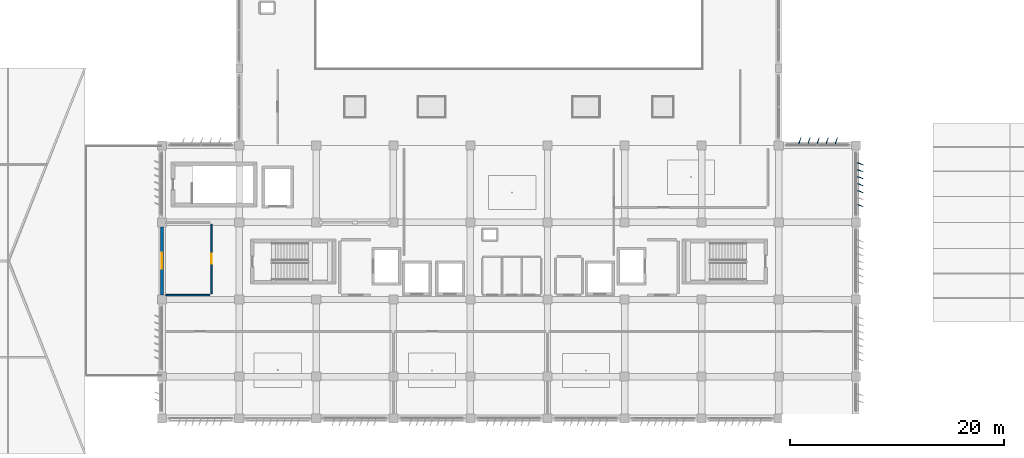
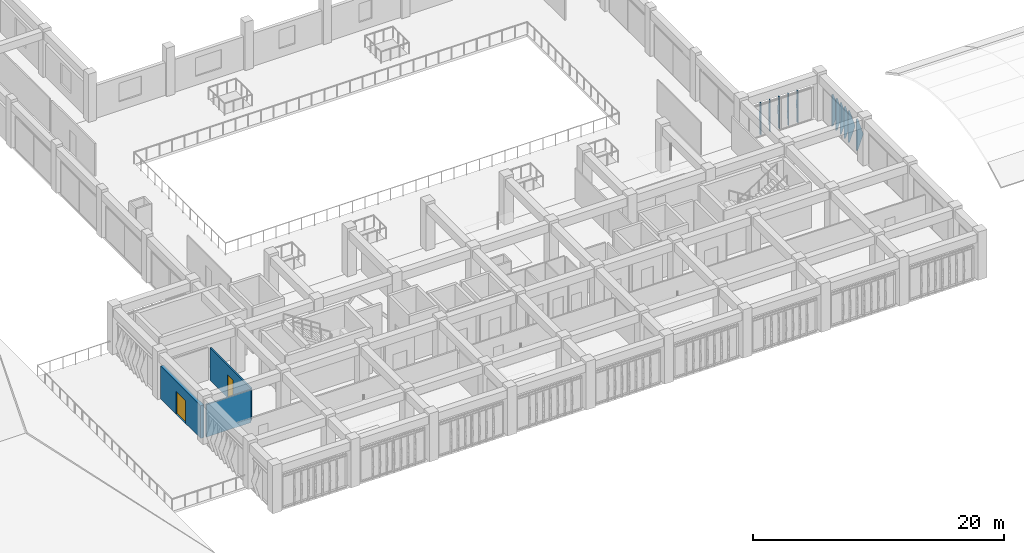
# One storey, part 29 of 55: 11 plates, 3 walls, 2 doors, 2 openings.
"""IFC4 building model written with IfcOpenShell, lengths in metres."""

import ifcopenshell
import ifcopenshell.guid

model = None  # the IFC model being written
_history = None  # IfcOwnerHistory: only IFC2X3 demands one
_inside = {}  # id of a spatial element -> (the spatial element, [elements in it])
_under = {}  # id of a project, library or spatial element -> (it, [spatial elements below it])
_declared = {}  # id of a project -> (the project, [libraries it declares])
_typed = {}  # id of a type object -> (the type object, [elements of that type])
_made_of = {}  # id of a material, layer set ... -> (it, [elements and type objects made of it])


def new_model(schema):
    """Start an empty IFC model of exactly this schema.

    Asked for "IFC4X3", IfcOpenShell would pick the latest addendum, in which some entities
    have other attributes; the version numbers below select the first issue.
    IFC2X3 requires an IfcOwnerHistory on every rooted entity: one is made here for all.
    """
    global model, _history
    if schema == "IFC4X3":
        model = ifcopenshell.file(schema_version=(4, 3, 0, 0))
    else:
        model = ifcopenshell.file(schema=schema)
    _inside.clear()
    _under.clear()
    _declared.clear()
    _typed.clear()
    _made_of.clear()
    _history = None
    if model.schema == "IFC2X3":
        org = make("IfcOrganization", Name="unknown")
        user = make(
            "IfcPersonAndOrganization",
            ThePerson=make("IfcPerson", FamilyName="unknown"),
            TheOrganization=org,
        )
        app = make(
            "IfcApplication",
            ApplicationDeveloper=org,
            Version="unknown",
            ApplicationFullName="unknown",
            ApplicationIdentifier="unknown",
        )
        _history = make(
            "IfcOwnerHistory",
            OwningUser=user,
            OwningApplication=app,
            ChangeAction="ADDED",
            CreationDate=0,
        )
    return model


def make(cls, **values):
    """One entity of the class cls with the attributes given. An attribute that is None is left unset."""
    return model.create_entity(
        cls, **{name: value for name, value in values.items() if value is not None}
    )


def rooted(cls, **values):
    """An entity with a GlobalId (a new one), such as an element, a storey or a relation."""
    return make(cls, GlobalId=ifcopenshell.guid.new(), OwnerHistory=_history, **values)


def si_unit(unit_type, name, prefix=None):
    """IfcSIUnit, for example si_unit("LENGTHUNIT", "METRE", prefix="MILLI")."""
    return make("IfcSIUnit", UnitType=unit_type, Prefix=prefix, Name=name)


def assignment(units):
    """IfcUnitAssignment: the units of a project."""
    return None if units is None else make("IfcUnitAssignment", Units=units)


def point(xyz):
    """IfcCartesianPoint."""
    return None if xyz is None else make("IfcCartesianPoint", Coordinates=xyz)


def direction(xyz):
    """IfcDirection."""
    return None if xyz is None else make("IfcDirection", DirectionRatios=xyz)


def frame(location, z_axis=None, x_axis=None):
    """IfcAxis2Placement3D, a coordinate frame: its origin and axes. An axis left out is left unset."""
    return make(
        "IfcAxis2Placement3D",
        Location=point(location),
        Axis=direction(z_axis),
        RefDirection=direction(x_axis),
    )


def frame_2d(location, x_axis=None):
    """IfcAxis2Placement2D, a coordinate frame in the plane: its origin and x axis."""
    return make(
        "IfcAxis2Placement2D", Location=point(location), RefDirection=direction(x_axis)
    )


def origin():
    """The frame at (0, 0, 0) with its axes left unset."""
    return frame((0.0, 0.0, 0.0))


def place(relative_to, where):
    """IfcLocalPlacement: puts the frame where relative to a parent placement (None: the world)."""
    return make(
        "IfcLocalPlacement", PlacementRelTo=relative_to, RelativePlacement=where
    )


def context(
    kind, dimensions, precision=None, world=None, true_north=None, identifier=None
):
    """IfcGeometricRepresentationContext, for example the 3D "Model" context."""
    return make(
        "IfcGeometricRepresentationContext",
        ContextIdentifier=identifier,
        ContextType=kind,
        CoordinateSpaceDimension=dimensions,
        Precision=precision,
        WorldCoordinateSystem=world,
        TrueNorth=true_north,
    )


def subcontext(parent, identifier, kind, view, scale=None):
    """IfcGeometricRepresentationSubContext, for example "Body" below "Model"."""
    return make(
        "IfcGeometricRepresentationSubContext",
        ContextIdentifier=identifier,
        ContextType=kind,
        ParentContext=parent,
        TargetScale=scale,
        TargetView=view,
    )


def project(units=None, contexts=None):
    """IfcProject with its units and contexts."""
    return rooted(
        "IfcProject",
        Name="project",
        RepresentationContexts=contexts,
        UnitsInContext=assignment(units),
    )


def spatial(cls, under=None, at=None, **own):
    """A site, building, storey or space (cls), placed at a placement, below another one or the project."""
    s = rooted(cls, ObjectPlacement=at, **own)
    if under is not None:
        _under.setdefault(under.id(), (under, []))[1].append(s)
    return s


def point_list(points):
    """IfcCartesianPointList2D or 3D."""
    cls = (
        "IfcCartesianPointList2D" if len(points[0]) == 2 else "IfcCartesianPointList3D"
    )
    return make(cls, CoordList=points)


def profile(cls, at=None, kind="AREA", **sizes):
    """A parametric profile (cls). Its sizes go by their IFC names, for example OverallWidth=200.0."""
    return make(cls, ProfileType=kind, Position=at, **sizes)


def rectangle(**sizes):
    """IfcRectangleProfileDef."""
    return profile("IfcRectangleProfileDef", **sizes)


def extrude(swept, where, along, depth):
    """IfcExtrudedAreaSolid: the profile swept, set in the frame where, extruded along a direction by depth."""
    return make(
        "IfcExtrudedAreaSolid",
        SweptArea=swept,
        Position=where,
        ExtrudedDirection=direction(along),
        Depth=depth,
    )


def polygons(points, faces, closed=None, point_numbers=None):
    """IfcPolygonalFaceSet: a face is its outer loop, then its inner loops; points numbered from 1."""
    made = []
    for loops in faces:
        if len(loops) == 1:
            made.append(make("IfcIndexedPolygonalFace", CoordIndex=loops[0]))
        else:
            made.append(
                make(
                    "IfcIndexedPolygonalFaceWithVoids",
                    CoordIndex=loops[0],
                    InnerCoordIndices=loops[1:],
                )
            )
    return make(
        "IfcPolygonalFaceSet",
        Coordinates=point_list(points),
        Closed=closed,
        Faces=made,
        PnIndex=point_numbers,
    )


def shape(context_of_items, identifier, shape_type, items):
    """IfcShapeRepresentation: the items that make up one representation, for example the "Body"."""
    return make(
        "IfcShapeRepresentation",
        ContextOfItems=context_of_items,
        RepresentationIdentifier=identifier,
        RepresentationType=shape_type,
        Items=items,
    )


def material(Name=None, Category=None):
    """IfcMaterial."""
    return make("IfcMaterial", Name=Name, Category=Category)


def layer(
    of_material, thickness, ventilated=None, Name=None, Category=None, Priority=None
):
    """IfcMaterialLayer: one layer of a wall or slab, of a material (None: an air gap)."""
    return make(
        "IfcMaterialLayer",
        Material=of_material,
        LayerThickness=thickness,
        IsVentilated=ventilated,
        Name=Name,
        Category=Category,
        Priority=Priority,
    )


def layer_set(layers, Name=None):
    """IfcMaterialLayerSet."""
    return make("IfcMaterialLayerSet", MaterialLayers=layers, LayerSetName=Name)


def made_of(thing, what):
    """Note that an element or type object is made of a material, layer set ...; save() writes the relation."""
    if what is not None:
        _made_of.setdefault(what.id(), (what, []))[1].append(thing)
    return thing


def type_object(cls, material=None, **own):
    """A type object (cls), such as IfcWallType, which elements share."""
    return made_of(rooted(cls, **own), material)


def element(
    cls,
    number,
    at=None,
    inside=None,
    cuts=None,
    type_object=None,
    material=None,
    context=None,
    identifier="Body",
    shape_type=None,
    held_by="IfcProductDefinitionShape",
    body=None,
    shapes=None,
    **own,
):
    """One element of the class cls, such as IfcWall. Its Tag is "e" and its number.

    at: its placement. inside: the storey or other place that contains it. cuts: it is an
    opening in that element (IfcRelVoidsElement). A single representation is given by context,
    identifier, shape_type and body (its items); several are given by shapes. held_by: the class
    of the entity that holds the representations. save() writes the other relations.
    """
    e = rooted(cls, Tag="e%d" % number, ObjectPlacement=at, **own)
    if body is not None:
        shapes = [shape(context, identifier, shape_type, body)]
    if shapes is not None:
        e.Representation = make(held_by, Representations=shapes)
    if inside is not None:
        _inside.setdefault(inside.id(), (inside, []))[1].append(e)
    if cuts is not None:
        rooted(
            "IfcRelVoidsElement", RelatingBuildingElement=cuts, RelatedOpeningElement=e
        )
    if type_object is not None:
        _typed.setdefault(type_object.id(), (type_object, []))[1].append(e)
    return made_of(e, material)


def fill(opening, filler):
    """IfcRelFillsElement: the door or window that sits in an opening."""
    return rooted(
        "IfcRelFillsElement",
        RelatingOpeningElement=opening,
        RelatedBuildingElement=filler,
    )


def aggregate(whole, parts):
    """IfcRelAggregates: a whole, such as a stair, and the parts it consists of."""
    return rooted("IfcRelAggregates", RelatingObject=whole, RelatedObjects=parts)


def save(model, path):
    """Write the relations noted so far, then the file.

    IfcRelAggregates (storeys below a building ...), IfcRelContainedInSpatialStructure (elements
    in a storey), IfcRelDefinesByType, IfcRelAssociatesMaterial and IfcRelDeclares: one each for
    every whole, place, type object, material and project.
    """
    for whole, parts in _under.values():
        aggregate(whole, parts)
    for where, things in _inside.values():
        rooted(
            "IfcRelContainedInSpatialStructure",
            RelatedElements=things,
            RelatingStructure=where,
        )
    for kind, things in _typed.values():
        rooted("IfcRelDefinesByType", RelatedObjects=things, RelatingType=kind)
    for what, things in _made_of.values():
        rooted("IfcRelAssociatesMaterial", RelatedObjects=things, RelatingMaterial=what)
    for by, libraries in _declared.values():
        rooted("IfcRelDeclares", RelatingContext=by, RelatedDefinitions=libraries)
    model.write(path)


model = new_model("IFC4")

# Units and contexts
model_context = context("Model", 3, precision=1e-05, world=origin(), true_north=direction((0.0, 1.0)))
body_context = subcontext(model_context, "Body", "Model", "MODEL_VIEW")
ifc_project = project(units=[si_unit("LENGTHUNIT", "METRE"), si_unit("AREAUNIT", "SQUARE_METRE"), si_unit("VOLUMEUNIT", "CUBIC_METRE"), si_unit("PLANEANGLEUNIT", "RADIAN"), si_unit("MASSUNIT", "GRAM", prefix="KILO")], contexts=[model_context])

# Site, building, storey
site_placement = place(None, origin())
site = spatial("IfcSite", under=ifc_project, at=site_placement, CompositionType="ELEMENT")
building_placement = place(site_placement, origin())
building = spatial("IfcBuilding", under=site, at=building_placement, Name="Kazehaya Institute of Natural Sciences", CompositionType="ELEMENT")
storey_placement = place(building_placement, frame((0.0, 0.0, 15.1201171875)))
storey = spatial("IfcBuildingStorey", under=building, at=storey_placement, Name="L03", CompositionType="ELEMENT", Elevation=15.1201171875)

# Plates
ifc_material_1 = material(Name="Bronze-anodised aluminium alloy A6063S-T5", Category="aluminium")
ifc_layer_1 = layer(ifc_material_1, 0.02001953125, Name="Bronze-anodised aluminium alloy A6063S-T5", Category="aluminium")
ifc_layer_set_1 = layer_set([ifc_layer_1], Name="Bronze-anodised aluminium alloy A6063S-T5")
plate_type_1 = type_object("IfcPlateType", Name="FIN-DF-E1", PredefinedType="USERDEFINED", material=ifc_layer_set_1)
plate_1_placement = place(storey_placement, origin())
element("IfcPlate", 1, at=plate_1_placement, inside=storey, type_object=plate_type_1, Name="L03 folded diamond-pyramid shading fin FIN-L03-E-0106", ObjectType="SHADING_FIN", PredefinedType="USERDEFINED", context=body_context, shape_type="Tessellation", body=[
    polygons([(119.554931640625, 33.9599609375, 0.039794921875), (119.699951171875, 33.9599609375, 0.039794921875), (120.110107421875, 33.78125, 1.58984375), (119.699951171875, 33.9599609375, 3.139892578125), (119.554931640625, 33.9599609375, 3.139892578125), (119.554931640625, 33.93994140625, 0.039794921875), (119.699951171875, 33.93994140625, 0.039794921875), (120.110107421875, 33.76123046875, 1.58984375), (119.699951171875, 33.93994140625, 3.139892578125), (119.554931640625, 33.93994140625, 3.139892578125)], [[[1, 5, 4, 3, 2]], [[6, 7, 8, 9, 10]], [[1, 2, 7, 6]], [[2, 3, 8, 7]], [[3, 4, 9, 8]], [[4, 5, 10, 9]], [[5, 1, 6, 10]]], closed=True),
])
plate_2_placement = place(storey_placement, origin())
element("IfcPlate", 2, at=plate_2_placement, inside=storey, type_object=plate_type_1, Name="L03 folded diamond-pyramid shading fin FIN-L03-E-0107", ObjectType="SHADING_FIN", PredefinedType="USERDEFINED", context=body_context, shape_type="Tessellation", body=[
    polygons([(119.554931640625, 33.31005859375, 0.039794921875), (119.699951171875, 33.31005859375, 0.039794921875), (120.110107421875, 33.13134765625, 1.58984375), (119.699951171875, 33.31005859375, 3.139892578125), (119.554931640625, 33.31005859375, 3.139892578125), (119.554931640625, 33.2900390625, 0.039794921875), (119.699951171875, 33.2900390625, 0.039794921875), (120.110107421875, 33.111328125, 1.58984375), (119.699951171875, 33.2900390625, 3.139892578125), (119.554931640625, 33.2900390625, 3.139892578125)], [[[1, 5, 4, 3, 2]], [[6, 7, 8, 9, 10]], [[1, 2, 7, 6]], [[2, 3, 8, 7]], [[3, 4, 9, 8]], [[4, 5, 10, 9]], [[5, 1, 6, 10]]], closed=True),
])
plate_3_placement = place(storey_placement, origin())
element("IfcPlate", 3, at=plate_3_placement, inside=storey, type_object=plate_type_1, Name="L03 folded diamond-pyramid shading fin FIN-L03-E-0108", ObjectType="SHADING_FIN", PredefinedType="USERDEFINED", context=body_context, shape_type="Tessellation", body=[
    polygons([(119.554931640625, 32.659912109375, 0.039794921875), (119.699951171875, 32.659912109375, 0.039794921875), (120.110107421875, 32.481201171875, 1.58984375), (119.699951171875, 32.659912109375, 3.139892578125), (119.554931640625, 32.659912109375, 3.139892578125), (119.554931640625, 32.639892578125, 0.039794921875), (119.699951171875, 32.639892578125, 0.039794921875), (120.110107421875, 32.461181640625, 1.58984375), (119.699951171875, 32.639892578125, 3.139892578125), (119.554931640625, 32.639892578125, 3.139892578125)], [[[1, 5, 4, 3, 2]], [[6, 7, 8, 9, 10]], [[1, 2, 7, 6]], [[2, 3, 8, 7]], [[3, 4, 9, 8]], [[4, 5, 10, 9]], [[5, 1, 6, 10]]], closed=True),
])
plate_4_placement = place(storey_placement, origin())
element("IfcPlate", 4, at=plate_4_placement, inside=storey, type_object=plate_type_1, Name="L03 folded diamond-pyramid shading fin FIN-L03-E-0109", ObjectType="SHADING_FIN", PredefinedType="USERDEFINED", context=body_context, shape_type="Tessellation", body=[
    polygons([(119.554931640625, 32.010009765625, 0.039794921875), (119.699951171875, 32.010009765625, 0.039794921875), (120.110107421875, 31.831298828125, 1.58984375), (119.699951171875, 32.010009765625, 3.139892578125), (119.554931640625, 32.010009765625, 3.139892578125), (119.554931640625, 31.989990234375, 0.039794921875), (119.699951171875, 31.989990234375, 0.039794921875), (120.110107421875, 31.811279296875, 1.58984375), (119.699951171875, 31.989990234375, 3.139892578125), (119.554931640625, 31.989990234375, 3.139892578125)], [[[1, 5, 4, 3, 2]], [[6, 7, 8, 9, 10]], [[1, 2, 7, 6]], [[2, 3, 8, 7]], [[3, 4, 9, 8]], [[4, 5, 10, 9]], [[5, 1, 6, 10]]], closed=True),
])
plate_5_placement = place(storey_placement, origin())
element("IfcPlate", 5, at=plate_5_placement, inside=storey, type_object=plate_type_1, Name="L03 folded diamond-pyramid shading fin FIN-L03-E-0110", ObjectType="SHADING_FIN", PredefinedType="USERDEFINED", context=body_context, shape_type="Tessellation", body=[
    polygons([(119.554931640625, 31.360107421875, 0.039794921875), (119.699951171875, 31.360107421875, 0.039794921875), (120.110107421875, 31.181396484375, 1.58984375), (119.699951171875, 31.360107421875, 3.139892578125), (119.554931640625, 31.360107421875, 3.139892578125), (119.554931640625, 31.340087890625, 0.039794921875), (119.699951171875, 31.340087890625, 0.039794921875), (120.110107421875, 31.161376953125, 1.58984375), (119.699951171875, 31.340087890625, 3.139892578125), (119.554931640625, 31.340087890625, 3.139892578125)], [[[1, 5, 4, 3, 2]], [[6, 7, 8, 9, 10]], [[1, 2, 7, 6]], [[2, 3, 8, 7]], [[3, 4, 9, 8]], [[4, 5, 10, 9]], [[5, 1, 6, 10]]], closed=True),
])
plate_6_placement = place(storey_placement, origin())
element("IfcPlate", 6, at=plate_6_placement, inside=storey, type_object=plate_type_1, Name="L03 folded diamond-pyramid shading fin FIN-L03-E-0112", ObjectType="SHADING_FIN", PredefinedType="USERDEFINED", context=body_context, shape_type="Tessellation", body=[
    polygons([(119.554931640625, 30.06005859375, 0.039794921875), (119.699951171875, 30.06005859375, 0.039794921875), (120.110107421875, 29.88134765625, 1.58984375), (119.699951171875, 30.06005859375, 3.139892578125), (119.554931640625, 30.06005859375, 3.139892578125), (119.554931640625, 30.0400390625, 0.039794921875), (119.699951171875, 30.0400390625, 0.039794921875), (120.110107421875, 29.861328125, 1.58984375), (119.699951171875, 30.0400390625, 3.139892578125), (119.554931640625, 30.0400390625, 3.139892578125)], [[[1, 5, 4, 3, 2]], [[6, 7, 8, 9, 10]], [[1, 2, 7, 6]], [[2, 3, 8, 7]], [[3, 4, 9, 8]], [[4, 5, 10, 9]], [[5, 1, 6, 10]]], closed=True),
])
ifc_layer_2 = layer(ifc_material_1, 0.02001953125, Name="Bronze-anodised aluminium alloy A6063S-T5", Category="aluminium")
ifc_layer_set_2 = layer_set([ifc_layer_2], Name="Bronze-anodised aluminium alloy A6063S-T5")
plate_type_2 = type_object("IfcPlateType", Name="FIN-DF-N1", PredefinedType="USERDEFINED", material=ifc_layer_set_2)
plate_7_placement = place(storey_placement, origin())
element("IfcPlate", 7, at=plate_7_placement, inside=storey, type_object=plate_type_2, Name="L03 folded diamond-pyramid shading fin FIN-L03-N-0069", ObjectType="SHADING_FIN", PredefinedType="USERDEFINED", context=body_context, shape_type="Tessellation", body=[
    polygons([(114.090087890625, 35.7548828125, 0.039794921875), (114.090087890625, 35.89990234375, 0.039794921875), (114.268798828125, 36.31005859375, 1.58984375), (114.090087890625, 35.89990234375, 3.139892578125), (114.090087890625, 35.7548828125, 3.139892578125), (114.110107421875, 35.7548828125, 0.039794921875), (114.110107421875, 35.89990234375, 0.039794921875), (114.288818359375, 36.31005859375, 1.58984375), (114.110107421875, 35.89990234375, 3.139892578125), (114.110107421875, 35.7548828125, 3.139892578125)], [[[1, 5, 4, 3, 2]], [[6, 7, 8, 9, 10]], [[1, 2, 7, 6]], [[2, 3, 8, 7]], [[3, 4, 9, 8]], [[4, 5, 10, 9]], [[5, 1, 6, 10]]], closed=True),
])
plate_8_placement = place(storey_placement, origin())
element("IfcPlate", 8, at=plate_8_placement, inside=storey, type_object=plate_type_2, Name="L03 folded diamond-pyramid shading fin FIN-L03-N-0070", ObjectType="SHADING_FIN", PredefinedType="USERDEFINED", context=body_context, shape_type="Tessellation", body=[
    polygons([(114.93994140625, 35.7548828125, 0.039794921875), (114.93994140625, 35.89990234375, 0.039794921875), (115.11865234375, 36.31005859375, 1.58984375), (114.93994140625, 35.89990234375, 3.139892578125), (114.93994140625, 35.7548828125, 3.139892578125), (114.9599609375, 35.7548828125, 0.039794921875), (114.9599609375, 35.89990234375, 0.039794921875), (115.138671875, 36.31005859375, 1.58984375), (114.9599609375, 35.89990234375, 3.139892578125), (114.9599609375, 35.7548828125, 3.139892578125)], [[[1, 5, 4, 3, 2]], [[6, 7, 8, 9, 10]], [[1, 2, 7, 6]], [[2, 3, 8, 7]], [[3, 4, 9, 8]], [[4, 5, 10, 9]], [[5, 1, 6, 10]]], closed=True),
])
plate_9_placement = place(storey_placement, origin())
element("IfcPlate", 9, at=plate_9_placement, inside=storey, type_object=plate_type_2, Name="L03 folded diamond-pyramid shading fin FIN-L03-N-0071", ObjectType="SHADING_FIN", PredefinedType="USERDEFINED", context=body_context, shape_type="Tessellation", body=[
    polygons([(115.7900390625, 35.7548828125, 0.039794921875), (115.7900390625, 35.89990234375, 0.039794921875), (115.96875, 36.31005859375, 1.58984375), (115.7900390625, 35.89990234375, 3.139892578125), (115.7900390625, 35.7548828125, 3.139892578125), (115.81005859375, 35.7548828125, 0.039794921875), (115.81005859375, 35.89990234375, 0.039794921875), (115.98876953125, 36.31005859375, 1.58984375), (115.81005859375, 35.89990234375, 3.139892578125), (115.81005859375, 35.7548828125, 3.139892578125)], [[[1, 5, 4, 3, 2]], [[6, 7, 8, 9, 10]], [[1, 2, 7, 6]], [[2, 3, 8, 7]], [[3, 4, 9, 8]], [[4, 5, 10, 9]], [[5, 1, 6, 10]]], closed=True),
])
plate_10_placement = place(storey_placement, origin())
element("IfcPlate", 10, at=plate_10_placement, inside=storey, type_object=plate_type_2, Name="L03 folded diamond-pyramid shading fin FIN-L03-N-0072", ObjectType="SHADING_FIN", PredefinedType="USERDEFINED", context=body_context, shape_type="Tessellation", body=[
    polygons([(116.639892578125, 35.7548828125, 0.039794921875), (116.639892578125, 35.89990234375, 0.039794921875), (116.818603515625, 36.31005859375, 1.58984375), (116.639892578125, 35.89990234375, 3.139892578125), (116.639892578125, 35.7548828125, 3.139892578125), (116.659912109375, 35.7548828125, 0.039794921875), (116.659912109375, 35.89990234375, 0.039794921875), (116.838623046875, 36.31005859375, 1.58984375), (116.659912109375, 35.89990234375, 3.139892578125), (116.659912109375, 35.7548828125, 3.139892578125)], [[[1, 5, 4, 3, 2]], [[6, 7, 8, 9, 10]], [[1, 2, 7, 6]], [[2, 3, 8, 7]], [[3, 4, 9, 8]], [[4, 5, 10, 9]], [[5, 1, 6, 10]]], closed=True),
])
plate_11_placement = place(storey_placement, origin())
element("IfcPlate", 11, at=plate_11_placement, inside=storey, type_object=plate_type_2, Name="L03 folded diamond-pyramid shading fin FIN-L03-N-0073", ObjectType="SHADING_FIN", PredefinedType="USERDEFINED", context=body_context, shape_type="Tessellation", body=[
    polygons([(117.489990234375, 35.7548828125, 0.039794921875), (117.489990234375, 35.89990234375, 0.039794921875), (117.668701171875, 36.31005859375, 1.58984375), (117.489990234375, 35.89990234375, 3.139892578125), (117.489990234375, 35.7548828125, 3.139892578125), (117.510009765625, 35.7548828125, 0.039794921875), (117.510009765625, 35.89990234375, 0.039794921875), (117.688720703125, 36.31005859375, 1.58984375), (117.510009765625, 35.89990234375, 3.139892578125), (117.510009765625, 35.7548828125, 3.139892578125)], [[[1, 5, 4, 3, 2]], [[6, 7, 8, 9, 10]], [[1, 2, 7, 6]], [[2, 3, 8, 7]], [[3, 4, 9, 8]], [[4, 5, 10, 9]], [[5, 1, 6, 10]]], closed=True),
])

# Wall, opening, door
ifc_material_2 = material(Name="Precast concrete Fc36", Category="concrete")
ifc_layer_3 = layer(ifc_material_2, 0.2900390625, Name="Precast concrete Fc36", Category="concrete")
ifc_layer_set_3 = layer_set([ifc_layer_3], Name="Precast concrete Fc36")
wall_type_1 = type_object("IfcWallType", Name="WL-EXT-290", PredefinedType="SOLIDWALL", material=ifc_layer_set_3)
wall_1_placement = place(storey_placement, frame((54.60009765625, 21.610107421875, 0.0), z_axis=(0.0, 0.0, 1.0), x_axis=(0.0, 1.0, 0.0)))
wall_1 = element("IfcWall", 12, at=wall_1_placement, inside=storey, type_object=wall_type_1, Name="L03 exterior wall EW-L03-0402", PredefinedType="SOLIDWALL", context=body_context, shape_type="SweptSolid", body=[
    extrude(rectangle(XDim=6.3798828125, YDim=0.2900390625, at=frame_2d((3.18994140625, 0.0))), origin(), (0.0, 0.0, 1.0), 3.179931640625),
])
opening_1_placement = place(wall_1_placement, frame((2.43994140625, 0.0, 0.0)))
opening_1 = element("IfcOpeningElement", 13, at=opening_1_placement, cuts=wall_1, Name="Opening D-TER-L03W", PredefinedType="OPENING", context=body_context, shape_type="SweptSolid", body=[
    extrude(rectangle(XDim=1.5, YDim=2.199951171875, at=frame_2d((0.75, 1.10009765625))), frame((0.0, 0.155029296875, 0.0), z_axis=(0.0, -1.0, 0.0), x_axis=(1.0, 0.0, 0.0)), (0.0, 0.0, 1.0), 0.31005859375),
])
ifc_material_3 = material(Name="Insulated bronze-clad steel door", Category="steel")
door_type_1 = type_object("IfcDoorType", Name="DT-TER-1500x2200", OperationType="DOUBLE_DOOR_SINGLE_SWING", PredefinedType="DOOR", material=ifc_material_3)
door_1_placement = place(opening_1_placement, origin())
door_1 = element("IfcDoor", 14, at=door_1_placement, inside=storey, type_object=door_type_1, Name="L03 exterior door D-TER-L03W", OperationType="DOUBLE_DOOR_SINGLE_SWING", OverallHeight=2.199951171875, OverallWidth=1.5, PredefinedType="DOOR", context=body_context, shape_type="SweptSolid", body=[
    extrude(rectangle(XDim=1.5, YDim=2.199951171875, at=frame_2d((0.75, 1.10009765625))), frame((0.0, 0.02490234375, 0.0), z_axis=(0.0, -1.0, 0.0), x_axis=(1.0, 0.0, 0.0)), (0.0, 0.0, 1.0), 0.050048828125),
])
fill(opening_1, door_1)

# Wall
ifc_material_4 = material(Name="Moisture-resistant WC partition")
ifc_layer_4 = layer(ifc_material_4, 0.1298828125, Name="Moisture-resistant WC partition")
ifc_layer_set_4 = layer_set([ifc_layer_4], Name="Moisture-resistant WC partition")
wall_type_2 = type_object("IfcWallType", Name="WL-PART-130", PredefinedType="PARTITIONING", material=ifc_layer_set_4)
wall_2_placement = place(storey_placement, frame((59.050048828125, 21.60009765625, 0.0), z_axis=(0.0, 0.0, 1.0), x_axis=(-1.0, 0.0, 0.0)))
element("IfcWall", 15, at=wall_2_placement, inside=storey, type_object=wall_type_2, Name="L03 Collaborative Research Lounge partition IW-L03-0202", PredefinedType="PARTITIONING", context=body_context, shape_type="SweptSolid", body=[
    extrude(rectangle(XDim=4.10009765625, YDim=0.1298828125, at=frame_2d((2.050048828125, 0.0))), origin(), (0.0, 0.0, 1.0), 3.159912109375),
])

# Wall, opening, door
wall_3_placement = place(storey_placement, frame((59.199951171875, 28.25, 0.0), z_axis=(0.0, 0.0, 1.0), x_axis=(0.0, -1.0, 0.0)))
wall_3 = element("IfcWall", 16, at=wall_3_placement, inside=storey, type_object=wall_type_2, Name="L03 Collaborative Research Lounge partition IW-L03-0204", PredefinedType="PARTITIONING", context=body_context, shape_type="SweptSolid", body=[
    extrude(rectangle(XDim=6.5, YDim=0.1298828125, at=frame_2d((3.25, 0.0))), origin(), (0.0, 0.0, 1.0), 3.159912109375),
])
opening_2_placement = place(wall_3_placement, frame((2.784912109375, 0.0, 0.0)))
opening_2 = element("IfcOpeningElement", 17, at=opening_2_placement, cuts=wall_3, Name="Opening D-L03-0130", PredefinedType="OPENING", context=body_context, shape_type="SweptSolid", body=[
    extrude(rectangle(XDim=0.929931640625, YDim=2.219970703125, at=frame_2d((0.46484375, 1.10986328125))), frame((0.0, 0.074951171875, 0.0), z_axis=(0.0, -1.0, 0.0), x_axis=(1.0, 0.0, 0.0)), (0.0, 0.0, 1.0), 0.14990234375),
])
ifc_material_5 = material(Name="Flush timber and aluminium laboratory door", Category="wood")
door_type_2 = type_object("IfcDoorType", Name="DT-INT-08", OperationType="NOTDEFINED", PredefinedType="DOOR", material=ifc_material_5)
door_2_placement = place(opening_2_placement, origin())
door_2 = element("IfcDoor", 18, at=door_2_placement, inside=storey, type_object=door_type_2, Name="L03 Collaborative Research Lounge door D-L03-0130", OperationType="SINGLE_SWING_RIGHT", OverallHeight=2.219970703125, OverallWidth=0.929931640625, PredefinedType="DOOR", context=body_context, shape_type="SweptSolid", body=[
    extrude(rectangle(XDim=0.929931640625, YDim=2.219970703125, at=frame_2d((0.46484375, 1.10986328125))), frame((0.0, 0.02490234375, 0.0), z_axis=(0.0, -1.0, 0.0), x_axis=(1.0, 0.0, 0.0)), (0.0, 0.0, 1.0), 0.050048828125),
])
fill(opening_2, door_2)

save(model, "model.ifc")
